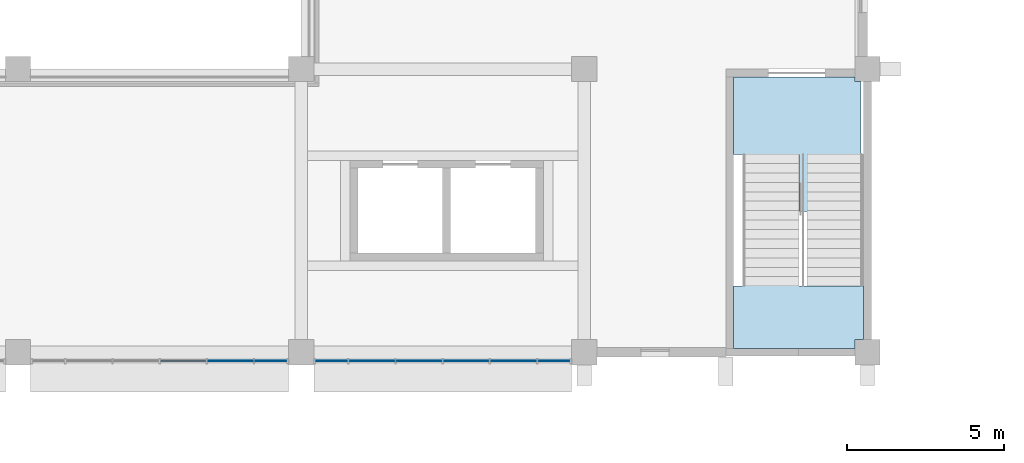
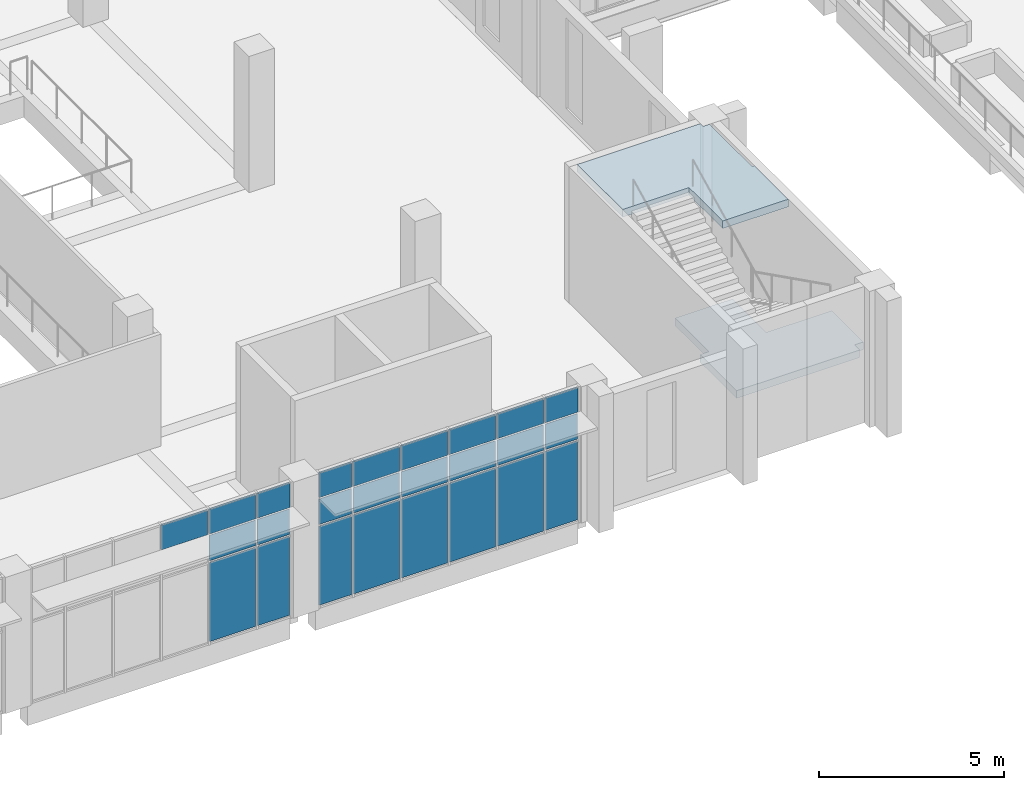
# One storey, part 42 of 79: 25 plates, 2 slabs, 3 elements without a shape of their own.
"""IFC4 building model written with IfcOpenShell, lengths in metres."""

import ifcopenshell
import ifcopenshell.guid

model = None  # the IFC model being written
_history = None  # IfcOwnerHistory: only IFC2X3 demands one
_inside = {}  # id of a spatial element -> (the spatial element, [elements in it])
_under = {}  # id of a project, library or spatial element -> (it, [spatial elements below it])
_declared = {}  # id of a project -> (the project, [libraries it declares])
_typed = {}  # id of a type object -> (the type object, [elements of that type])
_made_of = {}  # id of a material, layer set ... -> (it, [elements and type objects made of it])


def new_model(schema):
    """Start an empty IFC model of exactly this schema.

    Asked for "IFC4X3", IfcOpenShell would pick the latest addendum, in which some entities
    have other attributes; the version numbers below select the first issue.
    IFC2X3 requires an IfcOwnerHistory on every rooted entity: one is made here for all.
    """
    global model, _history
    if schema == "IFC4X3":
        model = ifcopenshell.file(schema_version=(4, 3, 0, 0))
    else:
        model = ifcopenshell.file(schema=schema)
    _inside.clear()
    _under.clear()
    _declared.clear()
    _typed.clear()
    _made_of.clear()
    _history = None
    if model.schema == "IFC2X3":
        org = make("IfcOrganization", Name="unknown")
        user = make(
            "IfcPersonAndOrganization",
            ThePerson=make("IfcPerson", FamilyName="unknown"),
            TheOrganization=org,
        )
        app = make(
            "IfcApplication",
            ApplicationDeveloper=org,
            Version="unknown",
            ApplicationFullName="unknown",
            ApplicationIdentifier="unknown",
        )
        _history = make(
            "IfcOwnerHistory",
            OwningUser=user,
            OwningApplication=app,
            ChangeAction="ADDED",
            CreationDate=0,
        )
    return model


def make(cls, **values):
    """One entity of the class cls with the attributes given. An attribute that is None is left unset."""
    return model.create_entity(
        cls, **{name: value for name, value in values.items() if value is not None}
    )


def rooted(cls, **values):
    """An entity with a GlobalId (a new one), such as an element, a storey or a relation."""
    return make(cls, GlobalId=ifcopenshell.guid.new(), OwnerHistory=_history, **values)


def si_unit(unit_type, name, prefix=None):
    """IfcSIUnit, for example si_unit("LENGTHUNIT", "METRE", prefix="MILLI")."""
    return make("IfcSIUnit", UnitType=unit_type, Prefix=prefix, Name=name)


def assignment(units):
    """IfcUnitAssignment: the units of a project."""
    return None if units is None else make("IfcUnitAssignment", Units=units)


def point(xyz):
    """IfcCartesianPoint."""
    return None if xyz is None else make("IfcCartesianPoint", Coordinates=xyz)


def direction(xyz):
    """IfcDirection."""
    return None if xyz is None else make("IfcDirection", DirectionRatios=xyz)


def frame(location, z_axis=None, x_axis=None):
    """IfcAxis2Placement3D, a coordinate frame: its origin and axes. An axis left out is left unset."""
    return make(
        "IfcAxis2Placement3D",
        Location=point(location),
        Axis=direction(z_axis),
        RefDirection=direction(x_axis),
    )


def frame_2d(location, x_axis=None):
    """IfcAxis2Placement2D, a coordinate frame in the plane: its origin and x axis."""
    return make(
        "IfcAxis2Placement2D", Location=point(location), RefDirection=direction(x_axis)
    )


def origin():
    """The frame at (0, 0, 0) with its axes left unset."""
    return frame((0.0, 0.0, 0.0))


def origin_2d():
    """The frame at (0, 0) in the plane with its x axis left unset."""
    return frame_2d((0.0, 0.0))


def place(relative_to, where):
    """IfcLocalPlacement: puts the frame where relative to a parent placement (None: the world)."""
    return make(
        "IfcLocalPlacement", PlacementRelTo=relative_to, RelativePlacement=where
    )


def context(
    kind, dimensions, precision=None, world=None, true_north=None, identifier=None
):
    """IfcGeometricRepresentationContext, for example the 3D "Model" context."""
    return make(
        "IfcGeometricRepresentationContext",
        ContextIdentifier=identifier,
        ContextType=kind,
        CoordinateSpaceDimension=dimensions,
        Precision=precision,
        WorldCoordinateSystem=world,
        TrueNorth=true_north,
    )


def subcontext(parent, identifier, kind, view, scale=None):
    """IfcGeometricRepresentationSubContext, for example "Body" below "Model"."""
    return make(
        "IfcGeometricRepresentationSubContext",
        ContextIdentifier=identifier,
        ContextType=kind,
        ParentContext=parent,
        TargetScale=scale,
        TargetView=view,
    )


def project(units=None, contexts=None):
    """IfcProject with its units and contexts."""
    return rooted(
        "IfcProject",
        Name="project",
        RepresentationContexts=contexts,
        UnitsInContext=assignment(units),
    )


def spatial(cls, under=None, at=None, **own):
    """A site, building, storey or space (cls), placed at a placement, below another one or the project."""
    s = rooted(cls, ObjectPlacement=at, **own)
    if under is not None:
        _under.setdefault(under.id(), (under, []))[1].append(s)
    return s


def polyline(points):
    """IfcPolyline through the points."""
    return make("IfcPolyline", Points=[point(p) for p in points])


def profile(cls, at=None, kind="AREA", **sizes):
    """A parametric profile (cls). Its sizes go by their IFC names, for example OverallWidth=200.0."""
    return make(cls, ProfileType=kind, Position=at, **sizes)


def rectangle(**sizes):
    """IfcRectangleProfileDef."""
    return profile("IfcRectangleProfileDef", **sizes)


def outline(outer, holes=None, kind="AREA"):
    """IfcArbitraryClosedProfileDef: a profile drawn as a closed curve; with holes, ...WithVoids."""
    if holes is None:
        return make("IfcArbitraryClosedProfileDef", ProfileType=kind, OuterCurve=outer)
    return make(
        "IfcArbitraryProfileDefWithVoids",
        ProfileType=kind,
        OuterCurve=outer,
        InnerCurves=holes,
    )


def extrude(swept, where, along, depth):
    """IfcExtrudedAreaSolid: the profile swept, set in the frame where, extruded along a direction by depth."""
    return make(
        "IfcExtrudedAreaSolid",
        SweptArea=swept,
        Position=where,
        ExtrudedDirection=direction(along),
        Depth=depth,
    )


def shape(context_of_items, identifier, shape_type, items):
    """IfcShapeRepresentation: the items that make up one representation, for example the "Body"."""
    return make(
        "IfcShapeRepresentation",
        ContextOfItems=context_of_items,
        RepresentationIdentifier=identifier,
        RepresentationType=shape_type,
        Items=items,
    )


def material(Name=None, Category=None):
    """IfcMaterial."""
    return make("IfcMaterial", Name=Name, Category=Category)


def layer(
    of_material, thickness, ventilated=None, Name=None, Category=None, Priority=None
):
    """IfcMaterialLayer: one layer of a wall or slab, of a material (None: an air gap)."""
    return make(
        "IfcMaterialLayer",
        Material=of_material,
        LayerThickness=thickness,
        IsVentilated=ventilated,
        Name=Name,
        Category=Category,
        Priority=Priority,
    )


def layer_set(layers, Name=None):
    """IfcMaterialLayerSet."""
    return make("IfcMaterialLayerSet", MaterialLayers=layers, LayerSetName=Name)


def made_of(thing, what):
    """Note that an element or type object is made of a material, layer set ...; save() writes the relation."""
    if what is not None:
        _made_of.setdefault(what.id(), (what, []))[1].append(thing)
    return thing


def type_object(cls, material=None, **own):
    """A type object (cls), such as IfcWallType, which elements share."""
    return made_of(rooted(cls, **own), material)


def element(
    cls,
    number,
    at=None,
    inside=None,
    cuts=None,
    type_object=None,
    material=None,
    context=None,
    identifier="Body",
    shape_type=None,
    held_by="IfcProductDefinitionShape",
    body=None,
    shapes=None,
    **own,
):
    """One element of the class cls, such as IfcWall. Its Tag is "e" and its number.

    at: its placement. inside: the storey or other place that contains it. cuts: it is an
    opening in that element (IfcRelVoidsElement). A single representation is given by context,
    identifier, shape_type and body (its items); several are given by shapes. held_by: the class
    of the entity that holds the representations. save() writes the other relations.
    """
    e = rooted(cls, Tag="e%d" % number, ObjectPlacement=at, **own)
    if body is not None:
        shapes = [shape(context, identifier, shape_type, body)]
    if shapes is not None:
        e.Representation = make(held_by, Representations=shapes)
    if inside is not None:
        _inside.setdefault(inside.id(), (inside, []))[1].append(e)
    if cuts is not None:
        rooted(
            "IfcRelVoidsElement", RelatingBuildingElement=cuts, RelatedOpeningElement=e
        )
    if type_object is not None:
        _typed.setdefault(type_object.id(), (type_object, []))[1].append(e)
    return made_of(e, material)


def aggregate(whole, parts):
    """IfcRelAggregates: a whole, such as a stair, and the parts it consists of."""
    return rooted("IfcRelAggregates", RelatingObject=whole, RelatedObjects=parts)


def save(model, path):
    """Write the relations noted so far, then the file.

    IfcRelAggregates (storeys below a building ...), IfcRelContainedInSpatialStructure (elements
    in a storey), IfcRelDefinesByType, IfcRelAssociatesMaterial and IfcRelDeclares: one each for
    every whole, place, type object, material and project.
    """
    for whole, parts in _under.values():
        aggregate(whole, parts)
    for where, things in _inside.values():
        rooted(
            "IfcRelContainedInSpatialStructure",
            RelatedElements=things,
            RelatingStructure=where,
        )
    for kind, things in _typed.values():
        rooted("IfcRelDefinesByType", RelatedObjects=things, RelatingType=kind)
    for what, things in _made_of.values():
        rooted("IfcRelAssociatesMaterial", RelatedObjects=things, RelatingMaterial=what)
    for by, libraries in _declared.values():
        rooted("IfcRelDeclares", RelatingContext=by, RelatedDefinitions=libraries)
    model.write(path)


model = new_model("IFC4")

# Units and contexts
model_context = context("Model", 3, precision=1e-05, world=origin(), true_north=direction((0.0, 1.0)))
body_context = subcontext(model_context, "Body", "Model", "MODEL_VIEW")
ifc_project = project(units=[si_unit("LENGTHUNIT", "METRE"), si_unit("AREAUNIT", "SQUARE_METRE"), si_unit("VOLUMEUNIT", "CUBIC_METRE"), si_unit("PLANEANGLEUNIT", "RADIAN"), si_unit("MASSUNIT", "GRAM", prefix="KILO")], contexts=[model_context])

# Site, building, storey
site_placement = place(None, origin())
site = spatial("IfcSite", under=ifc_project, at=site_placement, CompositionType="ELEMENT")
building_placement = place(site_placement, origin())
building = spatial("IfcBuilding", under=site, at=building_placement, Name="Guidao Yard Department Store", CompositionType="ELEMENT")
storey_placement = place(building_placement, frame((0.0, 0.0, 15.0)))
storey = spatial("IfcBuildingStorey", under=building, at=storey_placement, Name="L03", CompositionType="ELEMENT", Elevation=15.0)

# Curtain wall, plates
ifc_material_1 = material(Name="Aluminium and glass", Category="aluminium")
ifc_layer_1 = layer(ifc_material_1, 0.159912109375)
ifc_layer_set_1 = layer_set([ifc_layer_1], Name="Hall front curtain wall CW2 1500 module")
curtain_wall_type = type_object("IfcCurtainWallType", Name="Hall front curtain wall CW2 1500 module", PredefinedType="NOTDEFINED", material=ifc_layer_set_1)
curtain_wall_1_placement = place(storey_placement, origin())
curtain_wall_1 = element("IfcCurtainWall", 1, at=curtain_wall_1_placement, inside=storey, type_object=curtain_wall_type, Name="Hall front curtain wall", PredefinedType="NOTDEFINED")
ifc_material_2 = material(Name="Aluminium 6063-T5 faced insulated spandrel", Category="aluminium")
ifc_layer_2 = layer(ifc_material_2, 0.06005859375)
ifc_layer_set_2 = layer_set([ifc_layer_2], Name="Spandrel panel SP1 insulated opaque")
plate_type_1 = type_object("IfcPlateType", Name="Spandrel panel SP1 insulated opaque", PredefinedType="CURTAIN_PANEL", material=ifc_layer_set_2)
plate_1_placement = place(storey_placement, frame((41.25, 44.719970703125, 3.6298828125), z_axis=(0.0, 0.0, 1.0), x_axis=(-1.0, 0.0, 0.0)))
plate_1 = element("IfcPlate", 2, at=plate_1_placement, type_object=plate_type_1, Name="CW-HF-L03-04 panel 4.3", PredefinedType="CURTAIN_PANEL", context=body_context, shape_type="SweptSolid", body=[
    extrude(rectangle(XDim=1.43994140625, YDim=0.06005859375, at=origin_2d()), origin(), (0.0, 0.0, 1.0), 0.81005859375),
])
plate_2_placement = place(storey_placement, frame((42.75, 44.719970703125, 3.6298828125), z_axis=(0.0, 0.0, 1.0), x_axis=(-1.0, 0.0, 0.0)))
plate_2 = element("IfcPlate", 3, at=plate_2_placement, type_object=plate_type_1, Name="CW-HF-L03-04 panel 5.3", PredefinedType="CURTAIN_PANEL", context=body_context, shape_type="SweptSolid", body=[
    extrude(rectangle(XDim=1.43994140625, YDim=0.06005859375, at=origin_2d()), origin(), (0.0, 0.0, 1.0), 0.81005859375),
])
plate_3_placement = place(storey_placement, frame((44.034912109375, 44.719970703125, 3.6298828125), z_axis=(0.0, 0.0, 1.0), x_axis=(-1.0, 0.0, 0.0)))
plate_3 = element("IfcPlate", 4, at=plate_3_placement, type_object=plate_type_1, Name="CW-HF-L03-04 panel 6.3", PredefinedType="CURTAIN_PANEL", context=body_context, shape_type="SweptSolid", body=[
    extrude(rectangle(XDim=1.010009765625, YDim=0.06005859375, at=origin_2d()), origin(), (0.0, 0.0, 1.0), 0.81005859375),
])

curtain_wall_2_placement = place(storey_placement, origin())
curtain_wall_2 = element("IfcCurtainWall", 5, at=curtain_wall_2_placement, inside=storey, type_object=curtain_wall_type, Name="Hall front curtain wall", PredefinedType="NOTDEFINED")
plate_4_placement = place(storey_placement, frame((45.965087890625, 44.719970703125, 3.6298828125), z_axis=(0.0, 0.0, 1.0), x_axis=(-1.0, 0.0, 0.0)))
plate_4 = element("IfcPlate", 6, at=plate_4_placement, type_object=plate_type_1, Name="CW-HF-L03-05 panel 1.3", PredefinedType="CURTAIN_PANEL", context=body_context, shape_type="SweptSolid", body=[
    extrude(rectangle(XDim=1.010009765625, YDim=0.06005859375, at=origin_2d()), origin(), (0.0, 0.0, 1.0), 0.81005859375),
])
plate_5_placement = place(storey_placement, frame((47.25, 44.719970703125, 3.6298828125), z_axis=(0.0, 0.0, 1.0), x_axis=(-1.0, 0.0, 0.0)))
plate_5 = element("IfcPlate", 7, at=plate_5_placement, type_object=plate_type_1, Name="CW-HF-L03-05 panel 2.3", PredefinedType="CURTAIN_PANEL", context=body_context, shape_type="SweptSolid", body=[
    extrude(rectangle(XDim=1.43994140625, YDim=0.06005859375, at=origin_2d()), origin(), (0.0, 0.0, 1.0), 0.81005859375),
])
plate_6_placement = place(storey_placement, frame((48.75, 44.719970703125, 3.6298828125), z_axis=(0.0, 0.0, 1.0), x_axis=(-1.0, 0.0, 0.0)))
plate_6 = element("IfcPlate", 8, at=plate_6_placement, type_object=plate_type_1, Name="CW-HF-L03-05 panel 3.3", PredefinedType="CURTAIN_PANEL", context=body_context, shape_type="SweptSolid", body=[
    extrude(rectangle(XDim=1.43994140625, YDim=0.06005859375, at=origin_2d()), origin(), (0.0, 0.0, 1.0), 0.81005859375),
])
plate_7_placement = place(storey_placement, frame((50.25, 44.719970703125, 3.6298828125), z_axis=(0.0, 0.0, 1.0), x_axis=(-1.0, 0.0, 0.0)))
plate_7 = element("IfcPlate", 9, at=plate_7_placement, type_object=plate_type_1, Name="CW-HF-L03-05 panel 4.3", PredefinedType="CURTAIN_PANEL", context=body_context, shape_type="SweptSolid", body=[
    extrude(rectangle(XDim=1.43994140625, YDim=0.06005859375, at=origin_2d()), origin(), (0.0, 0.0, 1.0), 0.81005859375),
])
plate_8_placement = place(storey_placement, frame((51.75, 44.719970703125, 3.6298828125), z_axis=(0.0, 0.0, 1.0), x_axis=(-1.0, 0.0, 0.0)))
plate_8 = element("IfcPlate", 10, at=plate_8_placement, type_object=plate_type_1, Name="CW-HF-L03-05 panel 5.3", PredefinedType="CURTAIN_PANEL", context=body_context, shape_type="SweptSolid", body=[
    extrude(rectangle(XDim=1.43994140625, YDim=0.06005859375, at=origin_2d()), origin(), (0.0, 0.0, 1.0), 0.81005859375),
])
plate_9_placement = place(storey_placement, frame((53.034912109375, 44.719970703125, 3.6298828125), z_axis=(0.0, 0.0, 1.0), x_axis=(-1.0, 0.0, 0.0)))
plate_9 = element("IfcPlate", 11, at=plate_9_placement, type_object=plate_type_1, Name="CW-HF-L03-05 panel 6.3", PredefinedType="CURTAIN_PANEL", context=body_context, shape_type="SweptSolid", body=[
    extrude(rectangle(XDim=1.010009765625, YDim=0.06005859375, at=origin_2d()), origin(), (0.0, 0.0, 1.0), 0.81005859375),
])

# Stair, slabs
ifc_material_3 = material(Name="Concrete C35", Category="concrete")
stair_type = type_object("IfcStairType", Name="Stair half-turn two-flight 1800 wide 4.5 m rise", PredefinedType="HALF_TURN_STAIR", material=ifc_material_3)
stair_placement = place(storey_placement, origin())
stair = element("IfcStair", 12, at=stair_placement, inside=storey, type_object=stair_type, Name="Stair A2 L03 to L04", PredefinedType="HALF_TURN_STAIR")
ifc_material_4 = material(Name="Concrete C35", Category="concrete")
ifc_layer_3 = layer(ifc_material_4, 0.25)
ifc_layer_set_3 = layer_set([ifc_layer_3], Name="Stair landing RC 250 C35")
slab_type = type_object("IfcSlabType", Name="Stair landing RC 250 C35", PredefinedType="LANDING", material=ifc_layer_set_3)
slab_1_placement = place(storey_placement, frame((0.0, 0.0, 2.0)))
slab_1 = element("IfcSlab", 13, at=slab_1_placement, type_object=slab_type, Name="SA2-L03 landing 1", PredefinedType="LANDING", context=body_context, shape_type="SweptSolid", body=[
    extrude(outline(polyline([(58.75, 47.10009765625), (59.02490234375, 47.10009765625), (59.02490234375, 48.929931640625), (60.824951171875, 48.929931640625), (60.824951171875, 47.110107421875), (62.875, 47.110107421875), (62.875, 47.10009765625), (62.875, 45.39990234375), (62.60009765625, 45.39990234375), (62.60009765625, 45.125), (58.75, 45.125), (58.75, 47.10009765625)])), origin(), (0.0, 0.0, 1.0), 0.25),
])
slab_2_placement = place(storey_placement, frame((0.0, 0.0, 4.25)))
slab_2 = element("IfcSlab", 14, at=slab_2_placement, type_object=slab_type, Name="SA2-L03 landing 2", PredefinedType="LANDING", context=body_context, shape_type="SweptSolid", body=[
    extrude(outline(polyline([(60.824951171875, 49.469970703125), (60.824951171875, 51.2900390625), (58.75, 51.2900390625), (58.75, 53.75), (60.824951171875, 53.75), (62.60009765625, 53.75), (62.60009765625, 53.60009765625), (62.800048828125, 53.60009765625), (62.800048828125, 51.300048828125), (62.875, 51.300048828125), (62.875, 49.469970703125), (60.824951171875, 49.469970703125)])), origin(), (0.0, 0.0, 1.0), 0.25),
])
aggregate(stair, [slab_1, slab_2])

# Plate
ifc_material_5 = material(Name="Laminated heat-soaked tempered glass", Category="glass")
ifc_layer_4 = layer(ifc_material_5, 0.017578125)
ifc_layer_set_4 = layer_set([ifc_layer_4], Name="Vision glass VG1 laminated heat-soaked tempered 8+8")
plate_type_2 = type_object("IfcPlateType", Name="Vision glass VG1 laminated heat-soaked tempered 8+8", PredefinedType="CURTAIN_PANEL", material=ifc_layer_set_4)
plate_10_placement = place(storey_placement, frame((42.75, 44.719970703125, 0.06005859375), z_axis=(0.0, 0.0, 1.0), x_axis=(-1.0, 0.0, 0.0)))
plate_10 = element("IfcPlate", 15, at=plate_10_placement, type_object=plate_type_2, Name="CW-HF-L03-04 panel 5.1", PredefinedType="CURTAIN_PANEL", context=body_context, shape_type="SweptSolid", body=[
    extrude(rectangle(XDim=1.43994140625, YDim=0.017578125, at=origin_2d()), origin(), (0.0, 0.0, 1.0), 2.610107421875),
])

plate_11_placement = place(storey_placement, frame((42.75, 44.719970703125, 2.72998046875), z_axis=(0.0, 0.0, 1.0), x_axis=(-1.0, 0.0, 0.0)))
plate_11 = element("IfcPlate", 16, at=plate_11_placement, type_object=plate_type_2, Name="CW-HF-L03-04 panel 5.2", PredefinedType="CURTAIN_PANEL", context=body_context, shape_type="SweptSolid", body=[
    extrude(rectangle(XDim=1.43994140625, YDim=0.017578125, at=origin_2d()), origin(), (0.0, 0.0, 1.0), 0.840087890625),
])

plate_12_placement = place(storey_placement, frame((44.034912109375, 44.719970703125, 0.06005859375), z_axis=(0.0, 0.0, 1.0), x_axis=(-1.0, 0.0, 0.0)))
plate_12 = element("IfcPlate", 17, at=plate_12_placement, type_object=plate_type_2, Name="CW-HF-L03-04 panel 6.1", PredefinedType="CURTAIN_PANEL", context=body_context, shape_type="SweptSolid", body=[
    extrude(rectangle(XDim=1.010009765625, YDim=0.017578125, at=origin_2d()), origin(), (0.0, 0.0, 1.0), 2.610107421875),
])

plate_13_placement = place(storey_placement, frame((44.034912109375, 44.719970703125, 2.72998046875), z_axis=(0.0, 0.0, 1.0), x_axis=(-1.0, 0.0, 0.0)))
plate_13 = element("IfcPlate", 18, at=plate_13_placement, type_object=plate_type_2, Name="CW-HF-L03-04 panel 6.2", PredefinedType="CURTAIN_PANEL", context=body_context, shape_type="SweptSolid", body=[
    extrude(rectangle(XDim=1.010009765625, YDim=0.017578125, at=origin_2d()), origin(), (0.0, 0.0, 1.0), 0.840087890625),
])

aggregate(curtain_wall_1, [plate_1, plate_10, plate_11, plate_2, plate_12, plate_13, plate_3])

plate_14_placement = place(storey_placement, frame((45.965087890625, 44.719970703125, 0.06005859375), z_axis=(0.0, 0.0, 1.0), x_axis=(-1.0, 0.0, 0.0)))
plate_14 = element("IfcPlate", 19, at=plate_14_placement, type_object=plate_type_2, Name="CW-HF-L03-05 panel 1.1", PredefinedType="CURTAIN_PANEL", context=body_context, shape_type="SweptSolid", body=[
    extrude(rectangle(XDim=1.010009765625, YDim=0.017578125, at=origin_2d()), origin(), (0.0, 0.0, 1.0), 2.610107421875),
])

plate_15_placement = place(storey_placement, frame((45.965087890625, 44.719970703125, 2.72998046875), z_axis=(0.0, 0.0, 1.0), x_axis=(-1.0, 0.0, 0.0)))
plate_15 = element("IfcPlate", 20, at=plate_15_placement, type_object=plate_type_2, Name="CW-HF-L03-05 panel 1.2", PredefinedType="CURTAIN_PANEL", context=body_context, shape_type="SweptSolid", body=[
    extrude(rectangle(XDim=1.010009765625, YDim=0.017578125, at=origin_2d()), origin(), (0.0, 0.0, 1.0), 0.840087890625),
])

plate_16_placement = place(storey_placement, frame((47.25, 44.719970703125, 0.06005859375), z_axis=(0.0, 0.0, 1.0), x_axis=(-1.0, 0.0, 0.0)))
plate_16 = element("IfcPlate", 21, at=plate_16_placement, type_object=plate_type_2, Name="CW-HF-L03-05 panel 2.1", PredefinedType="CURTAIN_PANEL", context=body_context, shape_type="SweptSolid", body=[
    extrude(rectangle(XDim=1.43994140625, YDim=0.017578125, at=origin_2d()), origin(), (0.0, 0.0, 1.0), 2.610107421875),
])

plate_17_placement = place(storey_placement, frame((47.25, 44.719970703125, 2.72998046875), z_axis=(0.0, 0.0, 1.0), x_axis=(-1.0, 0.0, 0.0)))
plate_17 = element("IfcPlate", 22, at=plate_17_placement, type_object=plate_type_2, Name="CW-HF-L03-05 panel 2.2", PredefinedType="CURTAIN_PANEL", context=body_context, shape_type="SweptSolid", body=[
    extrude(rectangle(XDim=1.43994140625, YDim=0.017578125, at=origin_2d()), origin(), (0.0, 0.0, 1.0), 0.840087890625),
])

plate_18_placement = place(storey_placement, frame((48.75, 44.719970703125, 0.06005859375), z_axis=(0.0, 0.0, 1.0), x_axis=(-1.0, 0.0, 0.0)))
plate_18 = element("IfcPlate", 23, at=plate_18_placement, type_object=plate_type_2, Name="CW-HF-L03-05 panel 3.1", PredefinedType="CURTAIN_PANEL", context=body_context, shape_type="SweptSolid", body=[
    extrude(rectangle(XDim=1.43994140625, YDim=0.017578125, at=origin_2d()), origin(), (0.0, 0.0, 1.0), 2.610107421875),
])

plate_19_placement = place(storey_placement, frame((48.75, 44.719970703125, 2.72998046875), z_axis=(0.0, 0.0, 1.0), x_axis=(-1.0, 0.0, 0.0)))
plate_19 = element("IfcPlate", 24, at=plate_19_placement, type_object=plate_type_2, Name="CW-HF-L03-05 panel 3.2", PredefinedType="CURTAIN_PANEL", context=body_context, shape_type="SweptSolid", body=[
    extrude(rectangle(XDim=1.43994140625, YDim=0.017578125, at=origin_2d()), origin(), (0.0, 0.0, 1.0), 0.840087890625),
])

plate_20_placement = place(storey_placement, frame((50.25, 44.719970703125, 0.06005859375), z_axis=(0.0, 0.0, 1.0), x_axis=(-1.0, 0.0, 0.0)))
plate_20 = element("IfcPlate", 25, at=plate_20_placement, type_object=plate_type_2, Name="CW-HF-L03-05 panel 4.1", PredefinedType="CURTAIN_PANEL", context=body_context, shape_type="SweptSolid", body=[
    extrude(rectangle(XDim=1.43994140625, YDim=0.017578125, at=origin_2d()), origin(), (0.0, 0.0, 1.0), 2.610107421875),
])

plate_21_placement = place(storey_placement, frame((50.25, 44.719970703125, 2.72998046875), z_axis=(0.0, 0.0, 1.0), x_axis=(-1.0, 0.0, 0.0)))
plate_21 = element("IfcPlate", 26, at=plate_21_placement, type_object=plate_type_2, Name="CW-HF-L03-05 panel 4.2", PredefinedType="CURTAIN_PANEL", context=body_context, shape_type="SweptSolid", body=[
    extrude(rectangle(XDim=1.43994140625, YDim=0.017578125, at=origin_2d()), origin(), (0.0, 0.0, 1.0), 0.840087890625),
])

plate_22_placement = place(storey_placement, frame((51.75, 44.719970703125, 0.06005859375), z_axis=(0.0, 0.0, 1.0), x_axis=(-1.0, 0.0, 0.0)))
plate_22 = element("IfcPlate", 27, at=plate_22_placement, type_object=plate_type_2, Name="CW-HF-L03-05 panel 5.1", PredefinedType="CURTAIN_PANEL", context=body_context, shape_type="SweptSolid", body=[
    extrude(rectangle(XDim=1.43994140625, YDim=0.017578125, at=origin_2d()), origin(), (0.0, 0.0, 1.0), 2.610107421875),
])

plate_23_placement = place(storey_placement, frame((51.75, 44.719970703125, 2.72998046875), z_axis=(0.0, 0.0, 1.0), x_axis=(-1.0, 0.0, 0.0)))
plate_23 = element("IfcPlate", 28, at=plate_23_placement, type_object=plate_type_2, Name="CW-HF-L03-05 panel 5.2", PredefinedType="CURTAIN_PANEL", context=body_context, shape_type="SweptSolid", body=[
    extrude(rectangle(XDim=1.43994140625, YDim=0.017578125, at=origin_2d()), origin(), (0.0, 0.0, 1.0), 0.840087890625),
])

plate_24_placement = place(storey_placement, frame((53.034912109375, 44.719970703125, 0.06005859375), z_axis=(0.0, 0.0, 1.0), x_axis=(-1.0, 0.0, 0.0)))
plate_24 = element("IfcPlate", 29, at=plate_24_placement, type_object=plate_type_2, Name="CW-HF-L03-05 panel 6.1", PredefinedType="CURTAIN_PANEL", context=body_context, shape_type="SweptSolid", body=[
    extrude(rectangle(XDim=1.010009765625, YDim=0.017578125, at=origin_2d()), origin(), (0.0, 0.0, 1.0), 2.610107421875),
])

plate_25_placement = place(storey_placement, frame((53.034912109375, 44.719970703125, 2.72998046875), z_axis=(0.0, 0.0, 1.0), x_axis=(-1.0, 0.0, 0.0)))
plate_25 = element("IfcPlate", 30, at=plate_25_placement, type_object=plate_type_2, Name="CW-HF-L03-05 panel 6.2", PredefinedType="CURTAIN_PANEL", context=body_context, shape_type="SweptSolid", body=[
    extrude(rectangle(XDim=1.010009765625, YDim=0.017578125, at=origin_2d()), origin(), (0.0, 0.0, 1.0), 0.840087890625),
])

aggregate(curtain_wall_2, [plate_14, plate_15, plate_4, plate_16, plate_17, plate_5, plate_18, plate_19, plate_6, plate_20, plate_21, plate_7, plate_22, plate_23, plate_8, plate_24, plate_25, plate_9])

save(model, "model.ifc")
